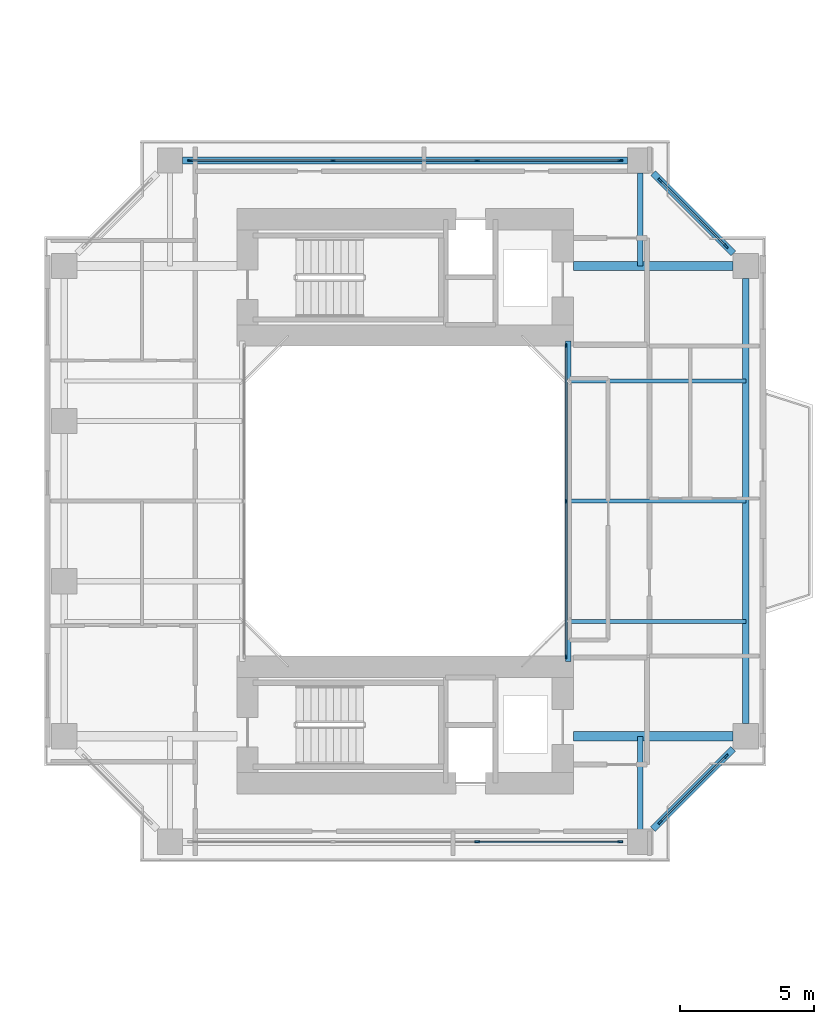
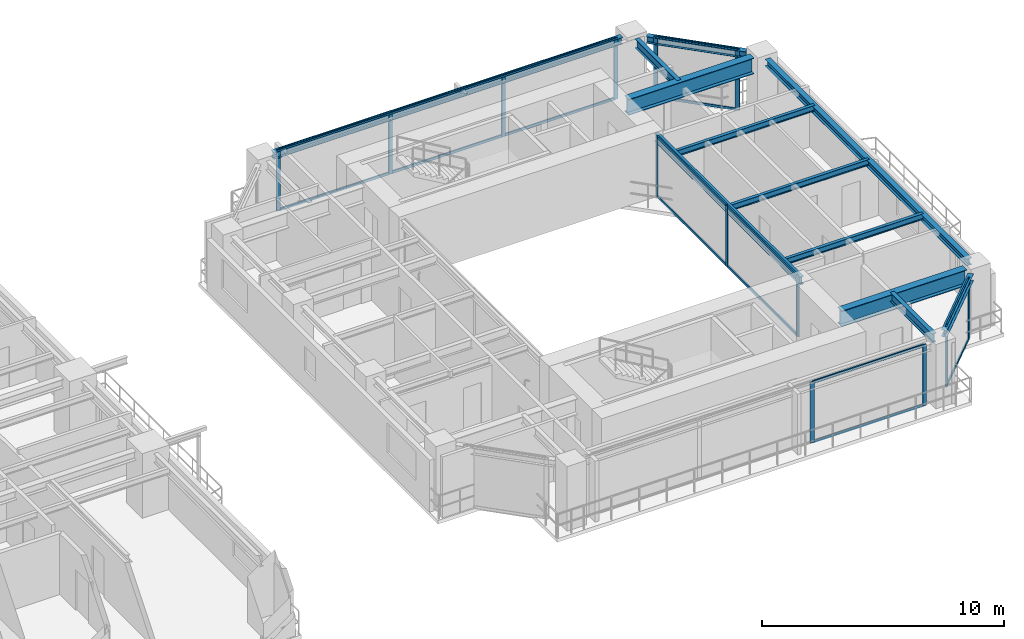
# One storey, part 10 of 23: 29 members, 12 beams, 5 elements without a shape of their own.
"""IFC4 building model written with IfcOpenShell, lengths in metres."""

from ifc_helpers import new_model, si_unit, direction, frame, origin, origin_2d, place, context, subcontext, project, spatial, rectangle, i_section, extrude, source, transform, mapped, material, layer, layer_set, material_profile, profile_set, type_object, element, aggregate, save


model = new_model("IFC4")

# Units and contexts
model_context = context("Model", 3, precision=1e-05, world=origin(), true_north=direction((0.0, 1.0)))
body_context = subcontext(model_context, "Body", "Model", "MODEL_VIEW")
ifc_project = project(units=[si_unit("LENGTHUNIT", "METRE"), si_unit("AREAUNIT", "SQUARE_METRE"), si_unit("VOLUMEUNIT", "CUBIC_METRE"), si_unit("PLANEANGLEUNIT", "RADIAN"), si_unit("MASSUNIT", "GRAM", prefix="KILO"), si_unit("THERMODYNAMICTEMPERATUREUNIT", "KELVIN"), si_unit("POWERUNIT", "WATT")], contexts=[model_context])

# Site, building, storey
site_placement = place(None, origin())
site = spatial("IfcSite", under=ifc_project, at=site_placement, CompositionType="ELEMENT")
building_placement = place(site_placement, origin())
building = spatial("IfcBuilding", under=site, at=building_placement, Name="Qiaomeng Ring Towers", CompositionType="ELEMENT")
storey_placement = place(building_placement, frame((0.0, 0.0, 60.0)))
storey = spatial("IfcBuildingStorey", under=building, at=storey_placement, Name="L16", CompositionType="ELEMENT", Elevation=60.0)

# Beams
ifc_material_1 = material(Name="Steel Q355B", Category="steel")
ifc_material_profile_1 = material_profile(ifc_material_1, i_section(OverallWidth=0.25, OverallDepth=0.340087890625, WebThickness=0.009033203125, FlangeThickness=0.013916015625, FilletRadius=0.02001953125, at=origin_2d()), Name="HM 340x250x9x14")
ifc_profile_set_1 = profile_set([ifc_material_profile_1], Name="Steel Q355B")
beam_type_1 = type_object("IfcBeamType", Name="STR-BM-HM340", PredefinedType="SPANDREL", material=ifc_profile_set_1)
shared_shape_1 = source(origin(), body_context, "Body", "SweptSolid", [
    extrude(i_section(OverallWidth=0.25, OverallDepth=0.340087890625, WebThickness=0.009033203125, FlangeThickness=0.013916015625, FilletRadius=0.02001953125, at=origin_2d()), origin(), (0.0, 0.0, 1.0), 16.65185546875),
])
for number, where, z_axis, x_axis, name in (
    (1, (73.25, 14.674072265625, 2.89990234375), (0.0, 1.0, 0.0), (-1.0, 0.0, 0.0), "L16 beam STR-SP-L16-T2-E1-E2"),
    (2, (68.825927734375, 35.75, 2.89990234375), (-1.0, 0.0, 0.0), (0.0, -1.0, 0.0), "L16 beam STR-SP-L16-T2-N2-N1"),
):
    element("IfcBeam", number, at=place(storey_placement, frame(where, z_axis=z_axis, x_axis=x_axis)), inside=storey, type_object=beam_type_1, Name=name, PredefinedType="SPANDREL", context=body_context, shape_type="MappedRepresentation", body=[
        mapped(shared_shape_1, transform((0.0, 0.0, 0.0), x_axis=(1.0, 0.0, 0.0), y_axis=(0.0, 1.0, 0.0), z_axis=(0.0, 0.0, 1.0), scale=1.0)),
    ])
shared_shape_2 = source(origin(), body_context, "Body", "SweptSolid", [
    extrude(i_section(OverallWidth=0.25, OverallDepth=0.340087890625, WebThickness=0.009033203125, FlangeThickness=0.013916015625, FilletRadius=0.02001953125, at=origin_2d()), origin(), (0.0, 0.0, 1.0), 4.244384765625),
])
for number, where, z_axis, x_axis, name in (
    (3, (69.7744140625, 10.724365234375, 2.89990234375), (0.707106781187, 0.707106781187, 0.0), (-0.707106781187, 0.707106781187, 0.0), "L16 beam STR-SP-L16-T2-S2-E1"),
    (4, (72.775634765625, 32.2744140625, 2.89990234375), (-0.707106781187, 0.707106781187, 0.0), (-0.707106781187, -0.707106781187, 0.0), "L16 beam STR-SP-L16-T2-E2-N2"),
):
    element("IfcBeam", number, at=place(storey_placement, frame(where, z_axis=z_axis, x_axis=x_axis)), inside=storey, type_object=beam_type_1, Name=name, PredefinedType="SPANDREL", context=body_context, shape_type="MappedRepresentation", body=[
        mapped(shared_shape_2, transform((0.0, 0.0, 0.0), x_axis=(1.0, 0.0, 0.0), y_axis=(0.0, 1.0, 0.0), z_axis=(0.0, 0.0, 1.0), scale=1.0)),
    ])
ifc_material_profile_2 = material_profile(ifc_material_1, i_section(OverallWidth=0.199951171875, OverallDepth=0.39990234375, WebThickness=0.008056640625, FlangeThickness=0.012939453125, FilletRadius=0.01611328125, at=origin_2d()), Name="HN 400x200x8x13")
ifc_profile_set_2 = profile_set([ifc_material_profile_2], Name="Steel Q355B")
beam_type_2 = type_object("IfcBeamType", Name="STR-BM-HN400", PredefinedType="SPANDREL", material=ifc_profile_set_2)
shared_shape_3 = source(origin(), body_context, "Body", "SweptSolid", [
    extrude(i_section(OverallWidth=0.199951171875, OverallDepth=0.39990234375, WebThickness=0.008056640625, FlangeThickness=0.012939453125, FilletRadius=0.01611328125, at=origin_2d()), origin(), (0.0, 0.0, 1.0), 12.0),
])
beam_placement = place(storey_placement, frame((66.60009765625, 17.0, 2.8701171875), z_axis=(0.0, 1.0, 0.0), x_axis=(-1.0, 0.0, 0.0)))
element("IfcBeam", 5, at=beam_placement, inside=storey, type_object=beam_type_2, Name="L16 beam STR-BM-L16-T2-WELL-E", PredefinedType="SPANDREL", context=body_context, shape_type="MappedRepresentation", body=[
    mapped(shared_shape_3, transform((0.0, 0.0, 0.0), x_axis=(1.0, 0.0, 0.0), y_axis=(0.0, 1.0, 0.0), z_axis=(0.0, 0.0, 1.0), scale=1.0)),
])
ifc_material_2 = material(Name="Steel Q390GJC", Category="steel")
ifc_material_profile_3 = material_profile(ifc_material_2, i_section(OverallWidth=0.35009765625, OverallDepth=0.800048828125, WebThickness=0.01611328125, FlangeThickness=0.028076171875, at=origin_2d()), Name="WH 800x350x16x28")
ifc_profile_set_3 = profile_set([ifc_material_profile_3], Name="Steel Q390GJC")
beam_type_3 = type_object("IfcBeamType", Name="STR-BM-WH800", PredefinedType="BEAM", material=ifc_profile_set_3)
shared_shape_4 = source(origin(), body_context, "Body", "SweptSolid", [
    extrude(i_section(OverallWidth=0.35009765625, OverallDepth=0.800048828125, WebThickness=0.01611328125, FlangeThickness=0.028076171875, at=origin_2d()), origin(), (0.0, 0.0, 1.0), 5.975830078125),
])
for number, where, z_axis, x_axis, name in (
    (6, (66.800048828125, 14.199951171875, 2.669921875), (1.0, 0.0, 0.0), (0.0, 1.0, 0.0), "L16 beam STR-BM-L16-T2-RAD-E1"),
    (7, (66.800048828125, 31.800048828125, 2.669921875), (1.0, 0.0, 0.0), (0.0, 1.0, 0.0), "L16 beam STR-BM-L16-T2-RAD-E2"),
):
    element("IfcBeam", number, at=place(storey_placement, frame(where, z_axis=z_axis, x_axis=x_axis)), inside=storey, type_object=beam_type_3, Name=name, PredefinedType="BEAM", context=body_context, shape_type="MappedRepresentation", body=[
        mapped(shared_shape_4, transform((0.0, 0.0, 0.0), x_axis=(1.0, 0.0, 0.0), y_axis=(0.0, 1.0, 0.0), z_axis=(0.0, 0.0, 1.0), scale=1.0)),
    ])
ifc_material_profile_4 = material_profile(ifc_material_1, i_section(OverallWidth=0.199951171875, OverallDepth=0.449951171875, WebThickness=0.009033203125, FlangeThickness=0.013916015625, FilletRadius=0.01806640625, at=origin_2d()), Name="HN 450x200x9x14")
ifc_profile_set_4 = profile_set([ifc_material_profile_4], Name="Steel Q355B")
beam_type_4 = type_object("IfcBeamType", Name="STR-BM-HN450", PredefinedType="SPANDREL", material=ifc_profile_set_4)
shared_shape_5 = source(origin(), body_context, "Body", "SweptSolid", [
    extrude(i_section(OverallWidth=0.199951171875, OverallDepth=0.449951171875, WebThickness=0.009033203125, FlangeThickness=0.013916015625, FilletRadius=0.01806640625, at=origin_2d()), origin(), (0.0, 0.0, 1.0), 3.475830078125),
])
for number, where, z_axis, x_axis, name in (
    (8, (69.300048828125, 35.27587890625, 2.844970703125), (0.0, -1.0, 0.0), (1.0, 0.0, 0.0), "L16 beam STR-BM-L16-T2-RAD-N2"),
    (9, (69.300048828125, 10.72412109375, 2.844970703125), (0.0, 1.0, 0.0), (-1.0, 0.0, 0.0), "L16 beam STR-BM-L16-T2-RAD-S2"),
):
    element("IfcBeam", number, at=place(storey_placement, frame(where, z_axis=z_axis, x_axis=x_axis)), inside=storey, type_object=beam_type_4, Name=name, PredefinedType="SPANDREL", context=body_context, shape_type="MappedRepresentation", body=[
        mapped(shared_shape_5, transform((0.0, 0.0, 0.0), x_axis=(1.0, 0.0, 0.0), y_axis=(0.0, 1.0, 0.0), z_axis=(0.0, 0.0, 1.0), scale=1.0)),
    ])
ifc_material_profile_5 = material_profile(ifc_material_1, i_section(OverallWidth=0.14990234375, OverallDepth=0.300048828125, WebThickness=0.006591796875, FlangeThickness=0.009033203125, FilletRadius=0.012939453125, at=origin_2d()), Name="HN 300x150x6.5x9")
ifc_profile_set_5 = profile_set([ifc_material_profile_5], Name="Steel Q355B")
beam_type_5 = type_object("IfcBeamType", Name="STR-BM-HN300", PredefinedType="JOIST", material=ifc_profile_set_5)
shared_shape_6 = source(origin(), body_context, "Body", "SweptSolid", [
    extrude(i_section(OverallWidth=0.14990234375, OverallDepth=0.300048828125, WebThickness=0.006591796875, FlangeThickness=0.009033203125, FilletRadius=0.012939453125, at=origin_2d()), origin(), (0.0, 0.0, 1.0), 6.64990234375),
])
for number, where, z_axis, x_axis, name in (
    (10, (66.60009765625, 18.5, 2.919921875), (1.0, 0.0, 0.0), (0.0, 1.0, 0.0), "L16 beam STR-JST-L16-T2E-1"),
    (11, (66.60009765625, 23.0, 2.919921875), (1.0, 0.0, 0.0), (0.0, 1.0, 0.0), "L16 beam STR-JST-L16-T2E-2"),
    (12, (66.60009765625, 27.5, 2.919921875), (1.0, 0.0, 0.0), (0.0, 1.0, 0.0), "L16 beam STR-JST-L16-T2E-3"),
):
    element("IfcBeam", number, at=place(storey_placement, frame(where, z_axis=z_axis, x_axis=x_axis)), inside=storey, type_object=beam_type_5, Name=name, PredefinedType="JOIST", context=body_context, shape_type="MappedRepresentation", body=[
        mapped(shared_shape_6, transform((0.0, 0.0, 0.0), x_axis=(1.0, 0.0, 0.0), y_axis=(0.0, 1.0, 0.0), z_axis=(0.0, 0.0, 1.0), scale=1.0)),
    ])

# Curtain wall, members
ifc_material_3 = material(Name="Fluorocarbon dark-grey aluminium", Category="aluminium")
ifc_layer_1 = layer(ifc_material_3, 0.139892578125, Name="Fluorocarbon dark-grey aluminium")
ifc_layer_set_1 = layer_set([ifc_layer_1], Name="Fluorocarbon dark-grey aluminium")
curtain_wall_type_1 = type_object("IfcCurtainWallType", Name="ARC-CW-4", PredefinedType="NOTDEFINED", material=ifc_layer_set_1)
curtain_wall_1_placement = place(storey_placement, origin())
curtain_wall_1 = element("IfcCurtainWall", 13, at=curtain_wall_1_placement, inside=storey, type_object=curtain_wall_type_1, Name="L16 Curtain Wall CW4", PredefinedType="NOTDEFINED")
ifc_material_profile_6 = material_profile(ifc_material_3, rectangle(XDim=0.06494140625, YDim=0.159912109375, at=origin_2d()), Name="ALU MULL 65x160")
ifc_profile_set_6 = profile_set([ifc_material_profile_6], Name="Fluorocarbon dark-grey aluminium")
member_type_1 = type_object("IfcMemberType", Name="ARC-CWM-140", PredefinedType="MULLION", material=ifc_profile_set_6)
shared_shape_7 = source(origin(), body_context, "Body", "SweptSolid", [
    extrude(rectangle(XDim=0.06494140625, YDim=0.159912109375, at=origin_2d()), origin(), (0.0, 0.0, 1.0), 3.070068359375),
])
member_1_placement = place(storey_placement, frame((66.52001953125, 17.1826171875, 0.0), z_axis=(0.0, 0.0, 1.0), x_axis=(-1.0, 0.0, 0.0)))
member_1 = element("IfcMember", 14, at=member_1_placement, type_object=member_type_1, Name="CW4 mullion 1", PredefinedType="MULLION", context=body_context, shape_type="MappedRepresentation", body=[
    mapped(shared_shape_7, transform((0.0, 0.0, 0.0), x_axis=(1.0, 0.0, 0.0), y_axis=(0.0, 1.0, 0.0), z_axis=(0.0, 0.0, 1.0), scale=1.0)),
])
member_2_placement = place(storey_placement, frame((66.52001953125, 23.0, 0.0), z_axis=(0.0, 0.0, 1.0), x_axis=(-1.0, 0.0, 0.0)))
member_2 = element("IfcMember", 15, at=member_2_placement, type_object=member_type_1, Name="CW4 mullion 2", PredefinedType="MULLION", context=body_context, shape_type="MappedRepresentation", body=[
    mapped(shared_shape_7, transform((0.0, 0.0, 0.0), x_axis=(1.0, 0.0, 0.0), y_axis=(0.0, 1.0, 0.0), z_axis=(0.0, 0.0, 1.0), scale=1.0)),
])
member_3_placement = place(storey_placement, frame((66.52001953125, 28.8173828125, 0.0), z_axis=(0.0, 0.0, 1.0), x_axis=(-1.0, 0.0, 0.0)))
member_3 = element("IfcMember", 16, at=member_3_placement, type_object=member_type_1, Name="CW4 mullion 3", PredefinedType="MULLION", context=body_context, shape_type="MappedRepresentation", body=[
    mapped(shared_shape_7, transform((0.0, 0.0, 0.0), x_axis=(1.0, 0.0, 0.0), y_axis=(0.0, 1.0, 0.0), z_axis=(0.0, 0.0, 1.0), scale=1.0)),
])
ifc_material_profile_7 = material_profile(ifc_material_3, rectangle(XDim=0.06494140625, YDim=0.1298828125, at=origin_2d()), Name="ALU TRAN 65x130")
ifc_profile_set_7 = profile_set([ifc_material_profile_7], Name="Fluorocarbon dark-grey aluminium")
member_type_2 = type_object("IfcMemberType", Name="ARC-CWT-120", PredefinedType="USERDEFINED", material=ifc_profile_set_7)
shared_shape_8 = source(origin(), body_context, "Body", "SweptSolid", [
    extrude(rectangle(XDim=0.06494140625, YDim=0.1298828125, at=origin_2d()), origin(), (0.0, 0.0, 1.0), 5.75244140625),
])
member_4_placement = place(storey_placement, frame((66.52001953125, 17.215087890625, 0.032470703125), z_axis=(0.0, 1.0, 0.0), x_axis=(-1.0, 0.0, 0.0)))
member_4 = element("IfcMember", 17, at=member_4_placement, type_object=member_type_2, Name="CW4 transom 1.1", ObjectType="TRANSOM", PredefinedType="USERDEFINED", context=body_context, shape_type="MappedRepresentation", body=[
    mapped(shared_shape_8, transform((0.0, 0.0, 0.0), x_axis=(1.0, 0.0, 0.0), y_axis=(0.0, 1.0, 0.0), z_axis=(0.0, 0.0, 1.0), scale=1.0)),
])
member_5_placement = place(storey_placement, frame((66.52001953125, 17.215087890625, 3.03759765625), z_axis=(0.0, 1.0, 0.0), x_axis=(-1.0, 0.0, 0.0)))
member_5 = element("IfcMember", 18, at=member_5_placement, type_object=member_type_2, Name="CW4 transom 1.2", ObjectType="TRANSOM", PredefinedType="USERDEFINED", context=body_context, shape_type="MappedRepresentation", body=[
    mapped(shared_shape_8, transform((0.0, 0.0, 0.0), x_axis=(1.0, 0.0, 0.0), y_axis=(0.0, 1.0, 0.0), z_axis=(0.0, 0.0, 1.0), scale=1.0)),
])
member_6_placement = place(storey_placement, frame((66.52001953125, 23.032470703125, 0.032470703125), z_axis=(0.0, 1.0, 0.0), x_axis=(-1.0, 0.0, 0.0)))
member_6 = element("IfcMember", 19, at=member_6_placement, type_object=member_type_2, Name="CW4 transom 2.1", ObjectType="TRANSOM", PredefinedType="USERDEFINED", context=body_context, shape_type="MappedRepresentation", body=[
    mapped(shared_shape_8, transform((0.0, 0.0, 0.0), x_axis=(1.0, 0.0, 0.0), y_axis=(0.0, 1.0, 0.0), z_axis=(0.0, 0.0, 1.0), scale=1.0)),
])
member_7_placement = place(storey_placement, frame((66.52001953125, 23.032470703125, 3.03759765625), z_axis=(0.0, 1.0, 0.0), x_axis=(-1.0, 0.0, 0.0)))
member_7 = element("IfcMember", 20, at=member_7_placement, type_object=member_type_2, Name="CW4 transom 2.2", ObjectType="TRANSOM", PredefinedType="USERDEFINED", context=body_context, shape_type="MappedRepresentation", body=[
    mapped(shared_shape_8, transform((0.0, 0.0, 0.0), x_axis=(1.0, 0.0, 0.0), y_axis=(0.0, 1.0, 0.0), z_axis=(0.0, 0.0, 1.0), scale=1.0)),
])
aggregate(curtain_wall_1, [member_1, member_2, member_3, member_4, member_5, member_6, member_7])

ifc_layer_2 = layer(ifc_material_3, 0.14990234375, Name="Fluorocarbon dark-grey aluminium")
ifc_layer_set_2 = layer_set([ifc_layer_2], Name="Fluorocarbon dark-grey aluminium")
curtain_wall_type_2 = type_object("IfcCurtainWallType", Name="ARC-CW-5", PredefinedType="NOTDEFINED", material=ifc_layer_set_2)
curtain_wall_2_placement = place(storey_placement, origin())
curtain_wall_2 = element("IfcCurtainWall", 21, at=curtain_wall_2_placement, inside=storey, type_object=curtain_wall_type_2, Name="L16 Curtain Wall CW5", PredefinedType="NOTDEFINED")
ifc_material_profile_8 = material_profile(ifc_material_3, rectangle(XDim=0.070068359375, YDim=0.179931640625, at=origin_2d()), Name="ALU MULL 70x180")
ifc_profile_set_8 = profile_set([ifc_material_profile_8], Name="Fluorocarbon dark-grey aluminium")
member_type_3 = type_object("IfcMemberType", Name="ARC-CWM-160", PredefinedType="MULLION", material=ifc_profile_set_8)
shared_shape_9 = source(origin(), body_context, "Body", "SweptSolid", [
    extrude(rectangle(XDim=0.070068359375, YDim=0.179931640625, at=origin_2d()), origin(), (0.0, 0.0, 1.0), 3.070068359375),
])
member_8_placement = place(storey_placement, frame((52.449951171875, 35.75, 0.0), z_axis=(0.0, 0.0, 1.0), x_axis=(0.0, 1.0, 0.0)))
member_8 = element("IfcMember", 22, at=member_8_placement, type_object=member_type_3, Name="CW5 mullion 1", PredefinedType="MULLION", context=body_context, shape_type="MappedRepresentation", body=[
    mapped(shared_shape_9, transform((0.0, 0.0, 0.0), x_axis=(1.0, 0.0, 0.0), y_axis=(0.0, 1.0, 0.0), z_axis=(0.0, 0.0, 1.0), scale=1.0)),
])
member_9_placement = place(storey_placement, frame((57.804931640625, 35.75, 0.0), z_axis=(0.0, 0.0, 1.0), x_axis=(0.0, 1.0, 0.0)))
member_9 = element("IfcMember", 23, at=member_9_placement, type_object=member_type_3, Name="CW5 mullion 2", PredefinedType="MULLION", context=body_context, shape_type="MappedRepresentation", body=[
    mapped(shared_shape_9, transform((0.0, 0.0, 0.0), x_axis=(1.0, 0.0, 0.0), y_axis=(0.0, 1.0, 0.0), z_axis=(0.0, 0.0, 1.0), scale=1.0)),
])
member_10_placement = place(storey_placement, frame((63.195068359375, 35.75, 0.0), z_axis=(0.0, 0.0, 1.0), x_axis=(0.0, 1.0, 0.0)))
member_10 = element("IfcMember", 24, at=member_10_placement, type_object=member_type_3, Name="CW5 mullion 3", PredefinedType="MULLION", context=body_context, shape_type="MappedRepresentation", body=[
    mapped(shared_shape_9, transform((0.0, 0.0, 0.0), x_axis=(1.0, 0.0, 0.0), y_axis=(0.0, 1.0, 0.0), z_axis=(0.0, 0.0, 1.0), scale=1.0)),
])
member_11_placement = place(storey_placement, frame((68.550048828125, 35.75, 0.0), z_axis=(0.0, 0.0, 1.0), x_axis=(0.0, 1.0, 0.0)))
member_11 = element("IfcMember", 25, at=member_11_placement, type_object=member_type_3, Name="CW5 mullion 4", PredefinedType="MULLION", context=body_context, shape_type="MappedRepresentation", body=[
    mapped(shared_shape_9, transform((0.0, 0.0, 0.0), x_axis=(1.0, 0.0, 0.0), y_axis=(0.0, 1.0, 0.0), z_axis=(0.0, 0.0, 1.0), scale=1.0)),
])

curtain_wall_3_placement = place(storey_placement, origin())
curtain_wall_3 = element("IfcCurtainWall", 26, at=curtain_wall_3_placement, inside=storey, type_object=curtain_wall_type_2, Name="L16 Curtain Wall CW5", PredefinedType="NOTDEFINED")
member_12_placement = place(storey_placement, frame((70.039794921875, 10.98974609375, 0.0), z_axis=(0.0, 0.0, 1.0), x_axis=(-0.707106781187, 0.707106781187, 0.0)))
member_12 = element("IfcMember", 27, at=member_12_placement, type_object=member_type_3, Name="CW5 mullion 1", PredefinedType="MULLION", context=body_context, shape_type="MappedRepresentation", body=[
    mapped(shared_shape_9, transform((0.0, 0.0, 0.0), x_axis=(1.0, 0.0, 0.0), y_axis=(0.0, 1.0, 0.0), z_axis=(0.0, 0.0, 1.0), scale=1.0)),
])
member_13_placement = place(storey_placement, frame((72.51025390625, 13.460205078125, 0.0), z_axis=(0.0, 0.0, 1.0), x_axis=(-0.707106781187, 0.707106781187, 0.0)))
member_13 = element("IfcMember", 28, at=member_13_placement, type_object=member_type_3, Name="CW5 mullion 2", PredefinedType="MULLION", context=body_context, shape_type="MappedRepresentation", body=[
    mapped(shared_shape_9, transform((0.0, 0.0, 0.0), x_axis=(1.0, 0.0, 0.0), y_axis=(0.0, 1.0, 0.0), z_axis=(0.0, 0.0, 1.0), scale=1.0)),
])

curtain_wall_4_placement = place(storey_placement, origin())
curtain_wall_4 = element("IfcCurtainWall", 29, at=curtain_wall_4_placement, inside=storey, type_object=curtain_wall_type_2, Name="L16 Curtain Wall CW5", PredefinedType="NOTDEFINED")
member_14_placement = place(storey_placement, frame((72.51025390625, 32.539794921875, 0.0), z_axis=(0.0, 0.0, 1.0), x_axis=(-0.707106781187, -0.707106781187, 0.0)))
member_14 = element("IfcMember", 30, at=member_14_placement, type_object=member_type_3, Name="CW5 mullion 1", PredefinedType="MULLION", context=body_context, shape_type="MappedRepresentation", body=[
    mapped(shared_shape_9, transform((0.0, 0.0, 0.0), x_axis=(1.0, 0.0, 0.0), y_axis=(0.0, 1.0, 0.0), z_axis=(0.0, 0.0, 1.0), scale=1.0)),
])
member_15_placement = place(storey_placement, frame((70.039794921875, 35.01025390625, 0.0), z_axis=(0.0, 0.0, 1.0), x_axis=(-0.707106781187, -0.707106781187, 0.0)))
member_15 = element("IfcMember", 31, at=member_15_placement, type_object=member_type_3, Name="CW5 mullion 2", PredefinedType="MULLION", context=body_context, shape_type="MappedRepresentation", body=[
    mapped(shared_shape_9, transform((0.0, 0.0, 0.0), x_axis=(1.0, 0.0, 0.0), y_axis=(0.0, 1.0, 0.0), z_axis=(0.0, 0.0, 1.0), scale=1.0)),
])

curtain_wall_5_placement = place(storey_placement, origin())
curtain_wall_5 = element("IfcCurtainWall", 32, at=curtain_wall_5_placement, inside=storey, type_object=curtain_wall_type_2, Name="L16 Curtain Wall CW5", PredefinedType="NOTDEFINED")
member_16_placement = place(storey_placement, frame((63.195068359375, 10.25, 0.0), z_axis=(0.0, 0.0, 1.0), x_axis=(0.0, 1.0, 0.0)))
member_16 = element("IfcMember", 33, at=member_16_placement, type_object=member_type_3, Name="CW5 mullion 3", PredefinedType="MULLION", context=body_context, shape_type="MappedRepresentation", body=[
    mapped(shared_shape_9, transform((0.0, 0.0, 0.0), x_axis=(1.0, 0.0, 0.0), y_axis=(0.0, 1.0, 0.0), z_axis=(0.0, 0.0, 1.0), scale=1.0)),
])
member_17_placement = place(storey_placement, frame((68.550048828125, 10.25, 0.0), z_axis=(0.0, 0.0, 1.0), x_axis=(0.0, 1.0, 0.0)))
member_17 = element("IfcMember", 34, at=member_17_placement, type_object=member_type_3, Name="CW5 mullion 4", PredefinedType="MULLION", context=body_context, shape_type="MappedRepresentation", body=[
    mapped(shared_shape_9, transform((0.0, 0.0, 0.0), x_axis=(1.0, 0.0, 0.0), y_axis=(0.0, 1.0, 0.0), z_axis=(0.0, 0.0, 1.0), scale=1.0)),
])

# Member
shared_shape_10 = source(origin(), body_context, "Body", "SweptSolid", [
    extrude(rectangle(XDim=0.06494140625, YDim=0.1298828125, at=origin_2d()), origin(), (0.0, 0.0, 1.0), 5.284912109375),
])
member_18_placement = place(storey_placement, frame((52.485107421875, 35.75, 0.032470703125), z_axis=(1.0, 0.0, 0.0), x_axis=(0.0, 1.0, 0.0)))
member_18 = element("IfcMember", 35, at=member_18_placement, type_object=member_type_2, Name="CW5 transom 1.1", ObjectType="TRANSOM", PredefinedType="USERDEFINED", context=body_context, shape_type="MappedRepresentation", body=[
    mapped(shared_shape_10, transform((0.0, 0.0, 0.0), x_axis=(1.0, 0.0, 0.0), y_axis=(0.0, 1.0, 0.0), z_axis=(0.0, 0.0, 1.0), scale=1.0)),
])

member_19_placement = place(storey_placement, frame((52.485107421875, 35.75, 3.03759765625), z_axis=(1.0, 0.0, 0.0), x_axis=(0.0, 1.0, 0.0)))
member_19 = element("IfcMember", 36, at=member_19_placement, type_object=member_type_2, Name="CW5 transom 1.2", ObjectType="TRANSOM", PredefinedType="USERDEFINED", context=body_context, shape_type="MappedRepresentation", body=[
    mapped(shared_shape_10, transform((0.0, 0.0, 0.0), x_axis=(1.0, 0.0, 0.0), y_axis=(0.0, 1.0, 0.0), z_axis=(0.0, 0.0, 1.0), scale=1.0)),
])

member_20_placement = place(storey_placement, frame((63.22998046875, 35.75, 0.032470703125), z_axis=(1.0, 0.0, 0.0), x_axis=(0.0, 1.0, 0.0)))
member_20 = element("IfcMember", 37, at=member_20_placement, type_object=member_type_2, Name="CW5 transom 3.1", ObjectType="TRANSOM", PredefinedType="USERDEFINED", context=body_context, shape_type="MappedRepresentation", body=[
    mapped(shared_shape_10, transform((0.0, 0.0, 0.0), x_axis=(1.0, 0.0, 0.0), y_axis=(0.0, 1.0, 0.0), z_axis=(0.0, 0.0, 1.0), scale=1.0)),
])

member_21_placement = place(storey_placement, frame((63.22998046875, 35.75, 3.03759765625), z_axis=(1.0, 0.0, 0.0), x_axis=(0.0, 1.0, 0.0)))
member_21 = element("IfcMember", 38, at=member_21_placement, type_object=member_type_2, Name="CW5 transom 3.2", ObjectType="TRANSOM", PredefinedType="USERDEFINED", context=body_context, shape_type="MappedRepresentation", body=[
    mapped(shared_shape_10, transform((0.0, 0.0, 0.0), x_axis=(1.0, 0.0, 0.0), y_axis=(0.0, 1.0, 0.0), z_axis=(0.0, 0.0, 1.0), scale=1.0)),
])

member_22_placement = place(storey_placement, frame((63.22998046875, 10.25, 0.032470703125), z_axis=(1.0, 0.0, 0.0), x_axis=(0.0, 1.0, 0.0)))
member_22 = element("IfcMember", 39, at=member_22_placement, type_object=member_type_2, Name="CW5 transom 3.1", ObjectType="TRANSOM", PredefinedType="USERDEFINED", context=body_context, shape_type="MappedRepresentation", body=[
    mapped(shared_shape_10, transform((0.0, 0.0, 0.0), x_axis=(1.0, 0.0, 0.0), y_axis=(0.0, 1.0, 0.0), z_axis=(0.0, 0.0, 1.0), scale=1.0)),
])

member_23_placement = place(storey_placement, frame((63.22998046875, 10.25, 3.03759765625), z_axis=(1.0, 0.0, 0.0), x_axis=(0.0, 1.0, 0.0)))
member_23 = element("IfcMember", 40, at=member_23_placement, type_object=member_type_2, Name="CW5 transom 3.2", ObjectType="TRANSOM", PredefinedType="USERDEFINED", context=body_context, shape_type="MappedRepresentation", body=[
    mapped(shared_shape_10, transform((0.0, 0.0, 0.0), x_axis=(1.0, 0.0, 0.0), y_axis=(0.0, 1.0, 0.0), z_axis=(0.0, 0.0, 1.0), scale=1.0)),
])

aggregate(curtain_wall_5, [member_16, member_17, member_22, member_23])

shared_shape_11 = source(origin(), body_context, "Body", "SweptSolid", [
    extrude(rectangle(XDim=0.06494140625, YDim=0.1298828125, at=origin_2d()), origin(), (0.0, 0.0, 1.0), 5.31982421875),
])
member_24_placement = place(storey_placement, frame((57.840087890625, 35.75, 0.032470703125), z_axis=(1.0, 0.0, 0.0), x_axis=(0.0, 1.0, 0.0)))
member_24 = element("IfcMember", 41, at=member_24_placement, type_object=member_type_2, Name="CW5 transom 2.1", ObjectType="TRANSOM", PredefinedType="USERDEFINED", context=body_context, shape_type="MappedRepresentation", body=[
    mapped(shared_shape_11, transform((0.0, 0.0, 0.0), x_axis=(1.0, 0.0, 0.0), y_axis=(0.0, 1.0, 0.0), z_axis=(0.0, 0.0, 1.0), scale=1.0)),
])

member_25_placement = place(storey_placement, frame((57.840087890625, 35.75, 3.03759765625), z_axis=(1.0, 0.0, 0.0), x_axis=(0.0, 1.0, 0.0)))
member_25 = element("IfcMember", 42, at=member_25_placement, type_object=member_type_2, Name="CW5 transom 2.2", ObjectType="TRANSOM", PredefinedType="USERDEFINED", context=body_context, shape_type="MappedRepresentation", body=[
    mapped(shared_shape_11, transform((0.0, 0.0, 0.0), x_axis=(1.0, 0.0, 0.0), y_axis=(0.0, 1.0, 0.0), z_axis=(0.0, 0.0, 1.0), scale=1.0)),
])

aggregate(curtain_wall_2, [member_8, member_9, member_10, member_11, member_18, member_19, member_24, member_25, member_20, member_21])

shared_shape_12 = source(origin(), body_context, "Body", "SweptSolid", [
    extrude(rectangle(XDim=0.06494140625, YDim=0.1298828125, at=origin_2d()), origin(), (0.0, 0.0, 1.0), 3.424072265625),
])
member_26_placement = place(storey_placement, frame((70.064453125, 11.014404296875, 0.032470703125), z_axis=(0.707106781187, 0.707106781187, 0.0), x_axis=(-0.707106781187, 0.707106781187, 0.0)))
member_26 = element("IfcMember", 43, at=member_26_placement, type_object=member_type_2, Name="CW5 transom 1.1", ObjectType="TRANSOM", PredefinedType="USERDEFINED", context=body_context, shape_type="MappedRepresentation", body=[
    mapped(shared_shape_12, transform((0.0, 0.0, 0.0), x_axis=(1.0, 0.0, 0.0), y_axis=(0.0, 1.0, 0.0), z_axis=(0.0, 0.0, 1.0), scale=1.0)),
])

member_27_placement = place(storey_placement, frame((70.064453125, 11.014404296875, 3.03759765625), z_axis=(0.707106781187, 0.707106781187, 0.0), x_axis=(-0.707106781187, 0.707106781187, 0.0)))
member_27 = element("IfcMember", 44, at=member_27_placement, type_object=member_type_2, Name="CW5 transom 1.2", ObjectType="TRANSOM", PredefinedType="USERDEFINED", context=body_context, shape_type="MappedRepresentation", body=[
    mapped(shared_shape_12, transform((0.0, 0.0, 0.0), x_axis=(1.0, 0.0, 0.0), y_axis=(0.0, 1.0, 0.0), z_axis=(0.0, 0.0, 1.0), scale=1.0)),
])

aggregate(curtain_wall_3, [member_12, member_13, member_26, member_27])

member_28_placement = place(storey_placement, frame((72.485595703125, 32.564453125, 0.032470703125), z_axis=(-0.707106781187, 0.707106781187, 0.0), x_axis=(-0.707106781187, -0.707106781187, 0.0)))
member_28 = element("IfcMember", 45, at=member_28_placement, type_object=member_type_2, Name="CW5 transom 1.1", ObjectType="TRANSOM", PredefinedType="USERDEFINED", context=body_context, shape_type="MappedRepresentation", body=[
    mapped(shared_shape_12, transform((0.0, 0.0, 0.0), x_axis=(1.0, 0.0, 0.0), y_axis=(0.0, 1.0, 0.0), z_axis=(0.0, 0.0, 1.0), scale=1.0)),
])

member_29_placement = place(storey_placement, frame((72.485595703125, 32.564453125, 3.03759765625), z_axis=(-0.707106781187, 0.707106781187, 0.0), x_axis=(-0.707106781187, -0.707106781187, 0.0)))
member_29 = element("IfcMember", 46, at=member_29_placement, type_object=member_type_2, Name="CW5 transom 1.2", ObjectType="TRANSOM", PredefinedType="USERDEFINED", context=body_context, shape_type="MappedRepresentation", body=[
    mapped(shared_shape_12, transform((0.0, 0.0, 0.0), x_axis=(1.0, 0.0, 0.0), y_axis=(0.0, 1.0, 0.0), z_axis=(0.0, 0.0, 1.0), scale=1.0)),
])

aggregate(curtain_wall_4, [member_14, member_15, member_28, member_29])

save(model, "model.ifc")
